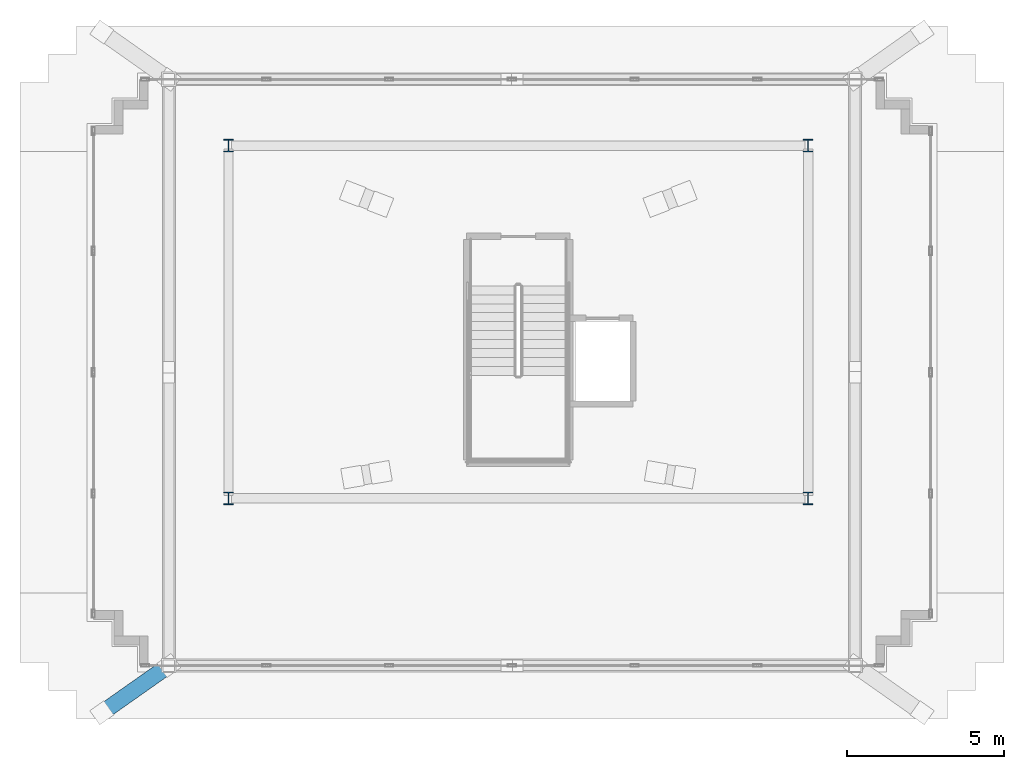
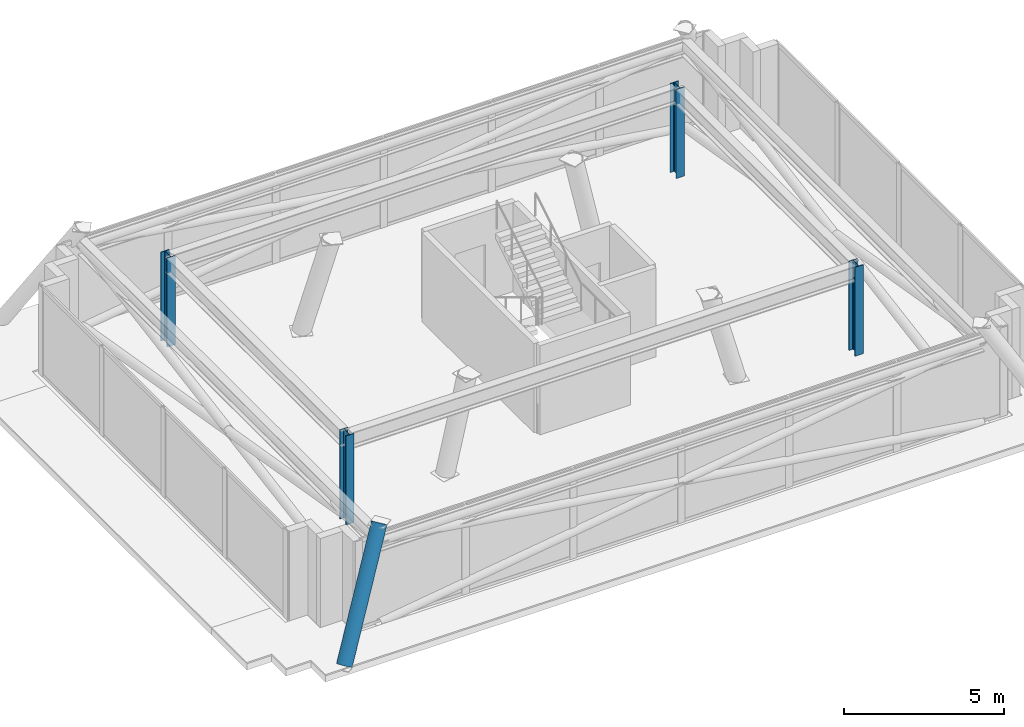
# One storey, part 1 of 13: 4 columns, 1 member.
"""IFC4 building model written with IfcOpenShell, lengths in metres."""

from ifc_helpers import new_model, si_unit, direction, frame, origin, origin_2d, place, context, subcontext, project, spatial, hollow_circle, i_section, extrude, material, material_profile, profile_set, type_object, element, save


model = new_model("IFC4")

# Units and contexts
model_context = context("Model", 3, precision=1e-05, world=origin(), true_north=direction((0.0, 1.0)))
body_context = subcontext(model_context, "Body", "Model", "MODEL_VIEW")
ifc_project = project(units=[si_unit("LENGTHUNIT", "METRE"), si_unit("AREAUNIT", "SQUARE_METRE"), si_unit("VOLUMEUNIT", "CUBIC_METRE"), si_unit("PLANEANGLEUNIT", "RADIAN"), si_unit("MASSUNIT", "GRAM", prefix="KILO")], contexts=[model_context])

# Site, building, storey
site_placement = place(None, origin())
site = spatial("IfcSite", under=ifc_project, at=site_placement, CompositionType="ELEMENT")
building_placement = place(site_placement, origin())
building = spatial("IfcBuilding", under=site, at=building_placement, Name="Qobustan Lattice House", CompositionType="ELEMENT")
storey_placement = place(building_placement, frame((0.0, 0.0, 285.39990234375)))
storey = spatial("IfcBuildingStorey", under=building, at=storey_placement, Name="L80", CompositionType="ELEMENT", Elevation=285.39990234375)

# Columns
ifc_material_1 = material(Name="Steel S355", Category="steel")
ifc_material_profile_1 = material_profile(ifc_material_1, i_section(OverallWidth=0.300048828125, OverallDepth=0.39990234375, WebThickness=0.013427734375, FlangeThickness=0.02392578125, FilletRadius=0.027099609375, at=origin_2d()), Name="HEB400")
ifc_profile_set_1 = profile_set([ifc_material_profile_1], Name="Steel S355")
column_type = type_object("IfcColumnType", Name="COL-ST-HEB400", PredefinedType="COLUMN", material=ifc_profile_set_1)
for number, where, z_axis, x_axis, name in (
    (1, (-9.199951171875, -5.60009765625, 0.0), (0.0, 0.0, 1.0), (1.0, 0.0, 0.0), "L80 crown plumb core column CRN-SW"),
    (2, (9.199951171875, -5.60009765625, 0.0), (0.0, 0.0, 1.0), (1.0, 0.0, 0.0), "L80 crown plumb core column CRN-SE"),
    (3, (9.199951171875, 5.60009765625, 0.0), (0.0, 0.0, 1.0), (1.0, 0.0, 0.0), "L80 crown plumb core column CRN-NE"),
    (4, (-9.199951171875, 5.60009765625, 0.0), (0.0, 0.0, 1.0), (1.0, 0.0, 0.0), "L80 crown plumb core column CRN-NW"),
):
    element("IfcColumn", number, at=place(storey_placement, frame(where, z_axis=z_axis, x_axis=x_axis)), inside=storey, type_object=column_type, Name=name, PredefinedType="COLUMN", context=body_context, shape_type="SweptSolid", body=[
        extrude(i_section(OverallWidth=0.300048828125, OverallDepth=0.39990234375, WebThickness=0.013427734375, FlangeThickness=0.02392578125, FilletRadius=0.027099609375, at=origin_2d()), origin(), (0.0, 0.0, 1.0), 3.400146484375),
    ])

# Member
ifc_material_2 = material(Name="Steel S355", Category="steel")
ifc_material_profile_2 = material_profile(ifc_material_2, hollow_circle(Radius=0.25390625, WallThickness=0.02001953125, at=origin_2d()), Name="CHS508x20")
ifc_profile_set_2 = profile_set([ifc_material_profile_2], Name="Steel S355")
member_type = type_object("IfcMemberType", Name="MEM-STR-CHS508", PredefinedType="STRUT", material=ifc_profile_set_2)
member_placement = place(storey_placement, frame((-13.219970703125, -12.405029296875, 0.0), z_axis=(0.461753371927, 0.32540094109, 0.825165468892), x_axis=(-0.576041902773, 0.817420165062, 0.0)))
element("IfcMember", 5, at=member_placement, inside=storey, type_object=member_type, Name="L80 crown corner raking strut 1", PredefinedType="STRUT", context=body_context, shape_type="SweptSolid", body=[
    extrude(hollow_circle(Radius=0.25390625, WallThickness=0.02001953125, at=origin_2d()), origin(), (0.0, 0.0, 1.0), 4.605224609375),
])

save(model, "model.ifc")
